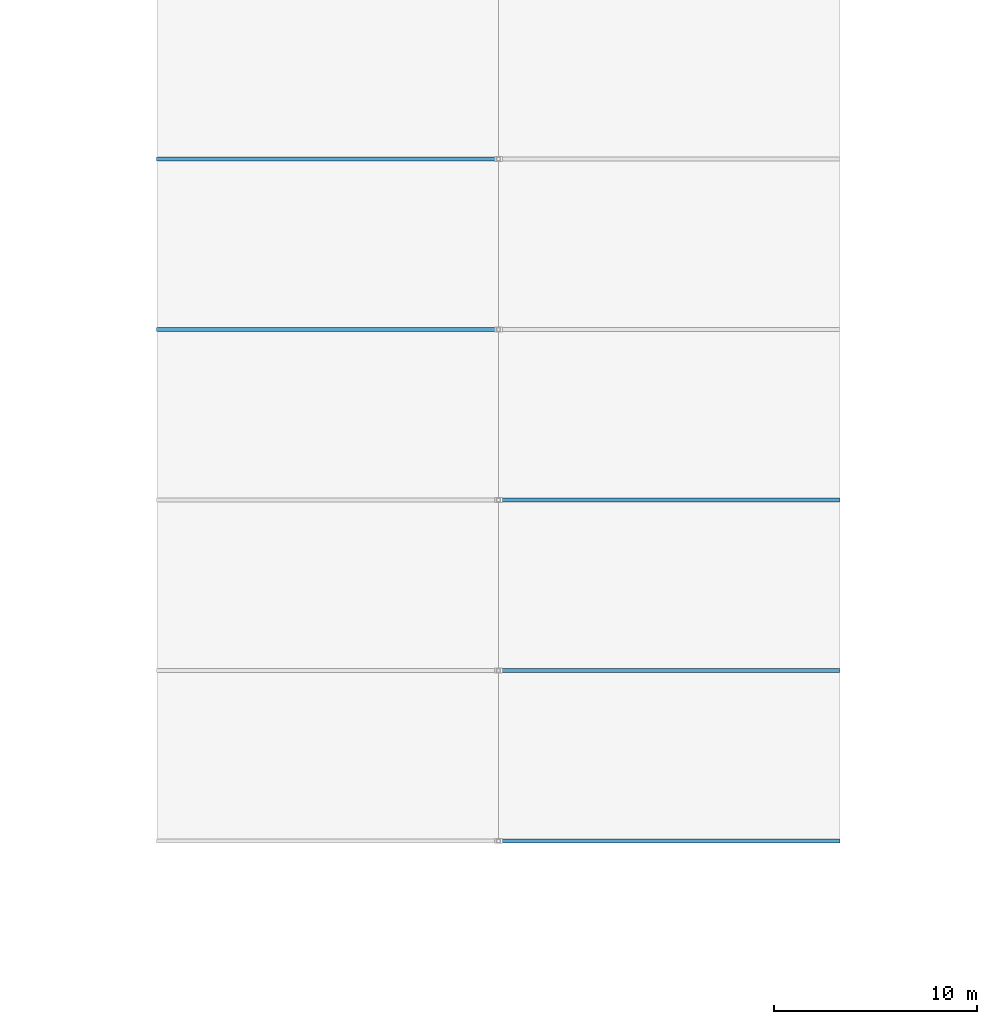
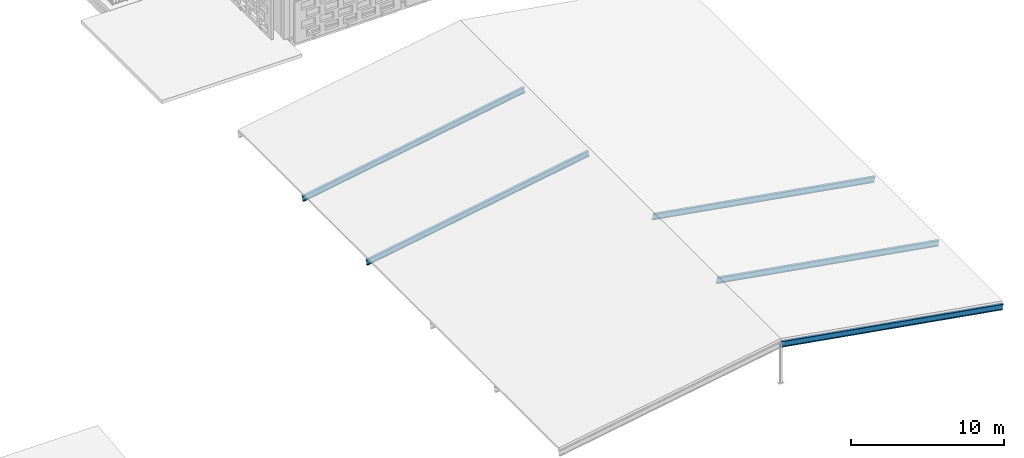
# One storey, part 65 of 140: 5 beams.
"""IFC4 building model written with IfcOpenShell, lengths in metres."""

from ifc_helpers import new_model, si_unit, direction, frame, origin, origin_2d, place, context, subcontext, project, spatial, i_section, extrude, material, material_profile, profile_set, type_object, element, save


model = new_model("IFC4")

# Units and contexts
model_context = context("Model", 3, precision=1e-05, world=origin(), true_north=direction((0.0, 1.0)))
body_context = subcontext(model_context, "Body", "Model", "MODEL_VIEW")
ifc_project = project(units=[si_unit("LENGTHUNIT", "METRE"), si_unit("AREAUNIT", "SQUARE_METRE"), si_unit("VOLUMEUNIT", "CUBIC_METRE"), si_unit("PLANEANGLEUNIT", "RADIAN"), si_unit("MASSUNIT", "GRAM", prefix="KILO")], contexts=[model_context])

# Site, building, storey
site_placement = place(None, origin())
site = spatial("IfcSite", under=ifc_project, at=site_placement, CompositionType="ELEMENT")
building_placement = place(site_placement, origin())
building = spatial("IfcBuilding", under=site, at=building_placement, Name="Varnapada Polytechnic", CompositionType="ELEMENT")
storey_placement = place(building_placement, frame((0.0, 0.0, 13.800048828125)))
storey = spatial("IfcBuildingStorey", under=building, at=storey_placement, Name="L03", CompositionType="ELEMENT", Elevation=13.800048828125)

# Beams
ifc_material = material(Name="Steel S355", Category="steel")
ifc_material_profile = material_profile(ifc_material, i_section(OverallWidth=0.18994140625, OverallDepth=0.449951171875, WebThickness=0.009521484375, FlangeThickness=0.0146484375, FilletRadius=0.02099609375, at=origin_2d()), Name="IPE 450")
ifc_profile_set = profile_set([ifc_material_profile], Name="Steel S355")
beam_type = type_object("IfcBeamType", Name="Folded gable & library roof rafter SB-02 (IPE 450)", PredefinedType="BEAM", material=ifc_profile_set)
for number, where, z_axis, x_axis, name in (
    (1, (168.0, 8.39990234375, 0.22998046875), (-0.985721119745, 0.0, 0.168386086388), (0.0, -1.0, 0.0), "Refectory pavilion east rafter Y2"),
    (2, (168.0, 16.800048828125, 0.22998046875), (-0.985721119745, 0.0, 0.168386086388), (0.0, -1.0, 0.0), "Refectory pavilion east rafter Y3"),
    (3, (168.0, 25.199951171875, 0.22998046875), (-0.985721119745, 0.0, 0.168386086388), (0.0, -1.0, 0.0), "Refectory pavilion east rafter Y4"),
    (4, (134.39990234375, 33.60009765625, 0.22998046875), (0.985721119745, 0.0, 0.168386086388), (0.0, 1.0, 0.0), "Refectory pavilion west rafter Y5"),
    (5, (134.39990234375, 42.0, 0.22998046875), (0.985721119745, 0.0, 0.168386086388), (0.0, 1.0, 0.0), "Refectory pavilion west rafter Y6"),
):
    element("IfcBeam", number, at=place(storey_placement, frame(where, z_axis=z_axis, x_axis=x_axis)), inside=storey, type_object=beam_type, Name=name, PredefinedType="BEAM", context=body_context, shape_type="SweptSolid", body=[
        extrude(i_section(OverallWidth=0.18994140625, OverallDepth=0.449951171875, WebThickness=0.009521484375, FlangeThickness=0.0146484375, FilletRadius=0.02099609375, at=origin_2d()), origin(), (0.0, 0.0, 1.0), 17.04345703125),
    ])

save(model, "model.ifc")
